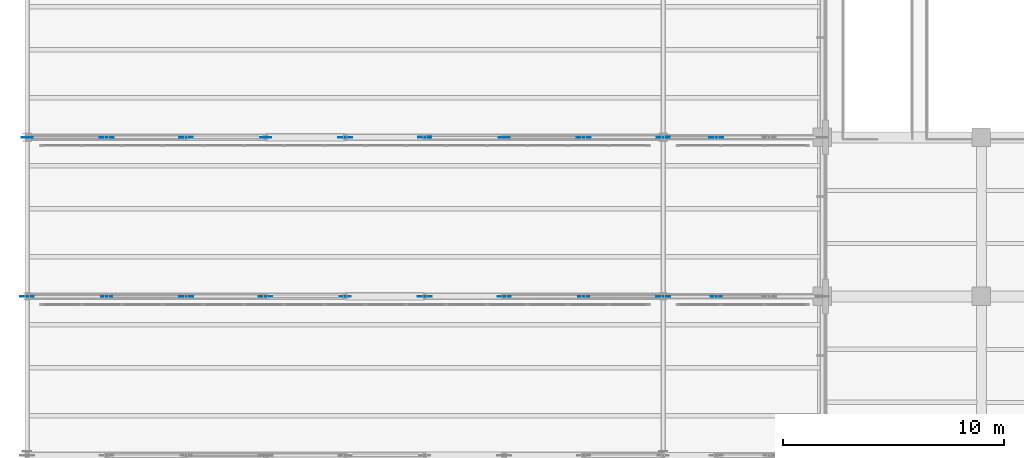
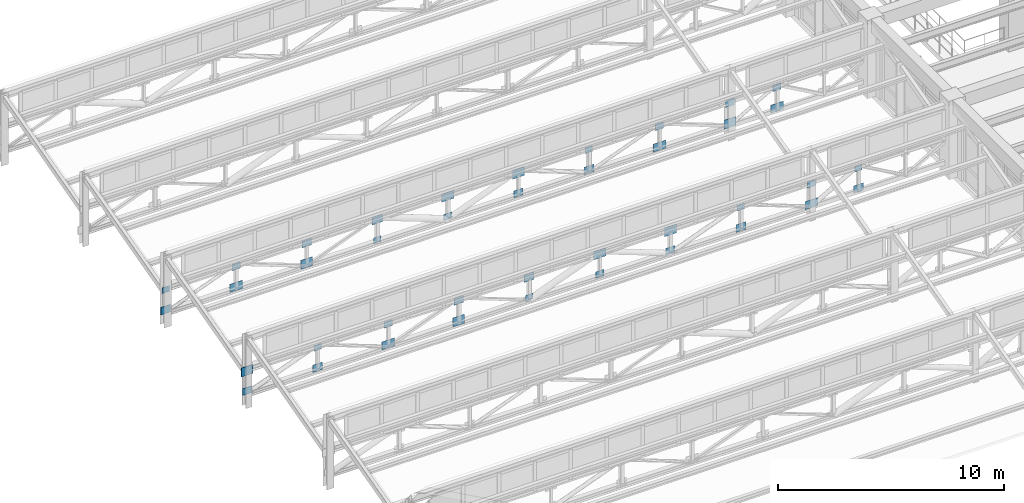
# One storey, part 79 of 98: 40 plates.
"""IFC4 building model written with IfcOpenShell, lengths in metres."""

from ifc_helpers import new_model, si_unit, direction, frame, origin, origin_2d, place, context, subcontext, project, spatial, rectangle, extrude, material, layer, layer_set, type_object, element, save


model = new_model("IFC4")

# Units and contexts
model_context = context("Model", 3, precision=1e-05, world=origin(), true_north=direction((0.0, 1.0)))
body_context = subcontext(model_context, "Body", "Model", "MODEL_VIEW")
ifc_project = project(units=[si_unit("LENGTHUNIT", "METRE"), si_unit("AREAUNIT", "SQUARE_METRE"), si_unit("VOLUMEUNIT", "CUBIC_METRE"), si_unit("PLANEANGLEUNIT", "RADIAN"), si_unit("MASSUNIT", "GRAM", prefix="KILO")], contexts=[model_context])

# Site, building, storey
site_placement = place(None, origin())
site = spatial("IfcSite", under=ifc_project, at=site_placement, CompositionType="ELEMENT")
building_placement = place(site_placement, origin())
building = spatial("IfcBuilding", under=site, at=building_placement, Name="Solenvale Faculty of Natural Sciences", CompositionType="ELEMENT")
storey_placement = place(building_placement, frame((0.0, 0.0, 9.0)))
storey = spatial("IfcBuildingStorey", under=building, at=storey_placement, Name="L02", CompositionType="ELEMENT", Elevation=9.0)

# Plates
ifc_material = material(Name="Steel S355", Category="steel")
ifc_layer_1 = layer(ifc_material, 0.01806640625)
ifc_layer_set_1 = layer_set([ifc_layer_1], Name="Steel S355")
plate_type_1 = type_object("IfcPlateType", Name="PLT-GUS-380x304x18", PredefinedType="SHEET", material=ifc_layer_set_1)
for number, where, z_axis, x_axis, name in (
    (1, (3.60009765625, 21.60009765625, 1.7578125), (0.0, 0.0, 1.0), (1.0, 0.0, 0.0), "V1 Truss 3.1 Node Gusset NPU1"),
    (2, (14.39990234375, 21.60009765625, 0.67822265625), (0.0, 0.0, 1.0), (1.0, 0.0, 0.0), "V1 Truss 3.1 Node Gusset NPB4"),
    (3, (25.199951171875, 21.60009765625, 1.7578125), (0.0, 0.0, 1.0), (1.0, 0.0, 0.0), "V1 Truss 3.1 Node Gusset NPU7"),
    (4, (31.199951171875, 21.60009765625, 1.7578125), (0.0, 0.0, 1.0), (1.0, 0.0, 0.0), "V1 Truss 3.2 Node Gusset NPU1"),
    (5, (0.0, 28.800048828125, 1.7578125), (0.0, 0.0, 1.0), (1.0, 0.0, 0.0), "V1 Truss 4.1 Node Gusset NPU0"),
    (6, (10.800048828125, 28.800048828125, 0.67822265625), (0.0, 0.0, 1.0), (1.0, 0.0, 0.0), "V1 Truss 4.1 Node Gusset NPB3"),
    (7, (21.60009765625, 28.800048828125, 1.7578125), (0.0, 0.0, 1.0), (1.0, 0.0, 0.0), "V1 Truss 4.1 Node Gusset NPU6"),
):
    element("IfcPlate", number, at=place(storey_placement, frame(where, z_axis=z_axis, x_axis=x_axis)), inside=storey, type_object=plate_type_1, Name=name, PredefinedType="SHEET", context=body_context, shape_type="SweptSolid", body=[
        extrude(rectangle(XDim=0.3798828125, YDim=0.01806640625, at=origin_2d()), origin(), (0.0, 0.0, 1.0), 0.303955078125),
    ])
ifc_layer_2 = layer(ifc_material, 0.02001953125)
ifc_layer_set_2 = layer_set([ifc_layer_2], Name="Steel S355")
plate_type_2 = type_object("IfcPlateType", Name="PLT-GUS-420x336x20", PredefinedType="SHEET", material=ifc_layer_set_2)
for number, where, z_axis, x_axis, name in (
    (8, (7.199951171875, 21.60009765625, 1.741943359375), (0.0, 0.0, 1.0), (1.0, 0.0, 0.0), "V1 Truss 3.1 Node Gusset NPU2"),
    (9, (18.0, 21.60009765625, 0.662109375), (0.0, 0.0, 1.0), (1.0, 0.0, 0.0), "V1 Truss 3.1 Node Gusset NPB5"),
    (10, (28.800048828125, 21.60009765625, 1.741943359375), (0.0, 0.0, 1.0), (1.0, 0.0, 0.0), "V1 Truss 3.1 Node Gusset NPU8"),
    (11, (3.60009765625, 28.800048828125, 1.741943359375), (0.0, 0.0, 1.0), (1.0, 0.0, 0.0), "V1 Truss 4.1 Node Gusset NPU1"),
    (12, (14.39990234375, 28.800048828125, 0.662109375), (0.0, 0.0, 1.0), (1.0, 0.0, 0.0), "V1 Truss 4.1 Node Gusset NPB4"),
    (13, (25.199951171875, 28.800048828125, 1.741943359375), (0.0, 0.0, 1.0), (1.0, 0.0, 0.0), "V1 Truss 4.1 Node Gusset NPU7"),
    (14, (31.199951171875, 28.800048828125, 1.741943359375), (0.0, 0.0, 1.0), (1.0, 0.0, 0.0), "V1 Truss 4.2 Node Gusset NPU1"),
):
    element("IfcPlate", number, at=place(storey_placement, frame(where, z_axis=z_axis, x_axis=x_axis)), inside=storey, type_object=plate_type_2, Name=name, PredefinedType="SHEET", context=body_context, shape_type="SweptSolid", body=[
        extrude(rectangle(XDim=0.419921875, YDim=0.02001953125, at=origin_2d()), origin(), (0.0, 0.0, 1.0), 0.3359375),
    ])
ifc_layer_3 = layer(ifc_material, 0.02197265625)
ifc_layer_set_3 = layer_set([ifc_layer_3], Name="Steel S355")
plate_type_3 = type_object("IfcPlateType", Name="PLT-GUS-460x368x22", PredefinedType="SHEET", material=ifc_layer_set_3)
for number, where, z_axis, x_axis, name in (
    (15, (0.0, 21.60009765625, 0.64599609375), (0.0, 0.0, 1.0), (1.0, 0.0, 0.0), "V1 Truss 3.1 Node Gusset NPB0"),
    (16, (10.800048828125, 21.60009765625, 1.72607421875), (0.0, 0.0, 1.0), (1.0, 0.0, 0.0), "V1 Truss 3.1 Node Gusset NPU3"),
    (17, (21.60009765625, 21.60009765625, 0.64599609375), (0.0, 0.0, 1.0), (1.0, 0.0, 0.0), "V1 Truss 3.1 Node Gusset NPB6"),
    (18, (7.199951171875, 28.800048828125, 1.72607421875), (0.0, 0.0, 1.0), (1.0, 0.0, 0.0), "V1 Truss 4.1 Node Gusset NPU2"),
    (19, (18.0, 28.800048828125, 0.64599609375), (0.0, 0.0, 1.0), (1.0, 0.0, 0.0), "V1 Truss 4.1 Node Gusset NPB5"),
    (20, (28.800048828125, 28.800048828125, 1.72607421875), (0.0, 0.0, 1.0), (1.0, 0.0, 0.0), "V1 Truss 4.1 Node Gusset NPU8"),
):
    element("IfcPlate", number, at=place(storey_placement, frame(where, z_axis=z_axis, x_axis=x_axis)), inside=storey, type_object=plate_type_3, Name=name, PredefinedType="SHEET", context=body_context, shape_type="SweptSolid", body=[
        extrude(rectangle(XDim=0.4599609375, YDim=0.02197265625, at=origin_2d()), origin(), (0.0, 0.0, 1.0), 0.367919921875),
    ])
ifc_layer_4 = layer(ifc_material, 0.02392578125)
ifc_layer_set_4 = layer_set([ifc_layer_4], Name="Steel S355")
plate_type_4 = type_object("IfcPlateType", Name="PLT-GUS-500x400x24", PredefinedType="SHEET", material=ifc_layer_set_4)
for number, where, z_axis, x_axis, name in (
    (21, (3.60009765625, 21.60009765625, 0.630126953125), (0.0, 0.0, 1.0), (1.0, 0.0, 0.0), "V1 Truss 3.1 Node Gusset NPB1"),
    (22, (14.39990234375, 21.60009765625, 1.7099609375), (0.0, 0.0, 1.0), (1.0, 0.0, 0.0), "V1 Truss 3.1 Node Gusset NPU4"),
    (23, (25.199951171875, 21.60009765625, 0.630126953125), (0.0, 0.0, 1.0), (1.0, 0.0, 0.0), "V1 Truss 3.1 Node Gusset NPB7"),
    (24, (31.199951171875, 21.60009765625, 0.630126953125), (0.0, 0.0, 1.0), (1.0, 0.0, 0.0), "V1 Truss 3.2 Node Gusset NPB1"),
    (25, (0.0, 28.800048828125, 0.630126953125), (0.0, 0.0, 1.0), (1.0, 0.0, 0.0), "V1 Truss 4.1 Node Gusset NPB0"),
    (26, (10.800048828125, 28.800048828125, 1.7099609375), (0.0, 0.0, 1.0), (1.0, 0.0, 0.0), "V1 Truss 4.1 Node Gusset NPU3"),
    (27, (21.60009765625, 28.800048828125, 0.630126953125), (0.0, 0.0, 1.0), (1.0, 0.0, 0.0), "V1 Truss 4.1 Node Gusset NPB6"),
):
    element("IfcPlate", number, at=place(storey_placement, frame(where, z_axis=z_axis, x_axis=x_axis)), inside=storey, type_object=plate_type_4, Name=name, PredefinedType="SHEET", context=body_context, shape_type="SweptSolid", body=[
        extrude(rectangle(XDim=0.5, YDim=0.02392578125, at=origin_2d()), origin(), (0.0, 0.0, 1.0), 0.39990234375),
    ])
ifc_layer_5 = layer(ifc_material, 0.02490234375)
ifc_layer_set_5 = layer_set([ifc_layer_5], Name="Steel S355")
plate_type_5 = type_object("IfcPlateType", Name="PLT-GUS-540x432x25", PredefinedType="SHEET", material=ifc_layer_set_5)
for number, where, z_axis, x_axis, name in (
    (28, (7.199951171875, 21.60009765625, 0.6142578125), (0.0, 0.0, 1.0), (1.0, 0.0, 0.0), "V1 Truss 3.1 Node Gusset NPB2"),
    (29, (18.0, 21.60009765625, 1.69384765625), (0.0, 0.0, 1.0), (1.0, 0.0, 0.0), "V1 Truss 3.1 Node Gusset NPU5"),
    (30, (28.800048828125, 21.60009765625, 0.6142578125), (0.0, 0.0, 1.0), (1.0, 0.0, 0.0), "V1 Truss 3.1 Node Gusset NPB8"),
    (31, (3.60009765625, 28.800048828125, 0.6142578125), (0.0, 0.0, 1.0), (1.0, 0.0, 0.0), "V1 Truss 4.1 Node Gusset NPB1"),
    (32, (14.39990234375, 28.800048828125, 1.69384765625), (0.0, 0.0, 1.0), (1.0, 0.0, 0.0), "V1 Truss 4.1 Node Gusset NPU4"),
    (33, (25.199951171875, 28.800048828125, 0.6142578125), (0.0, 0.0, 1.0), (1.0, 0.0, 0.0), "V1 Truss 4.1 Node Gusset NPB7"),
    (34, (31.199951171875, 28.800048828125, 0.6142578125), (0.0, 0.0, 1.0), (1.0, 0.0, 0.0), "V1 Truss 4.2 Node Gusset NPB1"),
):
    element("IfcPlate", number, at=place(storey_placement, frame(where, z_axis=z_axis, x_axis=x_axis)), inside=storey, type_object=plate_type_5, Name=name, PredefinedType="SHEET", context=body_context, shape_type="SweptSolid", body=[
        extrude(rectangle(XDim=0.639892578125, YDim=0.02490234375, at=origin_2d()), origin(), (0.0, 0.0, 1.0), 0.431884765625),
    ])
ifc_layer_6 = layer(ifc_material, 0.028076171875)
ifc_layer_set_6 = layer_set([ifc_layer_6], Name="Steel S355")
plate_type_6 = type_object("IfcPlateType", Name="PLT-GUS-600x480x28", PredefinedType="SHEET", material=ifc_layer_set_6)
for number, where, z_axis, x_axis, name in (
    (35, (0.0, 21.60009765625, 1.669921875), (0.0, 0.0, 1.0), (1.0, 0.0, 0.0), "V1 Truss 3.1 Node Gusset NPU0"),
    (36, (10.800048828125, 21.60009765625, 0.590087890625), (0.0, 0.0, 1.0), (1.0, 0.0, 0.0), "V1 Truss 3.1 Node Gusset NPB3"),
    (37, (21.60009765625, 21.60009765625, 1.669921875), (0.0, 0.0, 1.0), (1.0, 0.0, 0.0), "V1 Truss 3.1 Node Gusset NPU6"),
    (38, (7.199951171875, 28.800048828125, 0.590087890625), (0.0, 0.0, 1.0), (1.0, 0.0, 0.0), "V1 Truss 4.1 Node Gusset NPB2"),
    (39, (18.0, 28.800048828125, 1.669921875), (0.0, 0.0, 1.0), (1.0, 0.0, 0.0), "V1 Truss 4.1 Node Gusset NPU5"),
    (40, (28.800048828125, 28.800048828125, 0.590087890625), (0.0, 0.0, 1.0), (1.0, 0.0, 0.0), "V1 Truss 4.1 Node Gusset NPB8"),
):
    element("IfcPlate", number, at=place(storey_placement, frame(where, z_axis=z_axis, x_axis=x_axis)), inside=storey, type_object=plate_type_6, Name=name, PredefinedType="SHEET", context=body_context, shape_type="SweptSolid", body=[
        extrude(rectangle(XDim=0.60009765625, YDim=0.028076171875, at=origin_2d()), origin(), (0.0, 0.0, 1.0), 0.47998046875),
    ])

save(model, "model.ifc")
